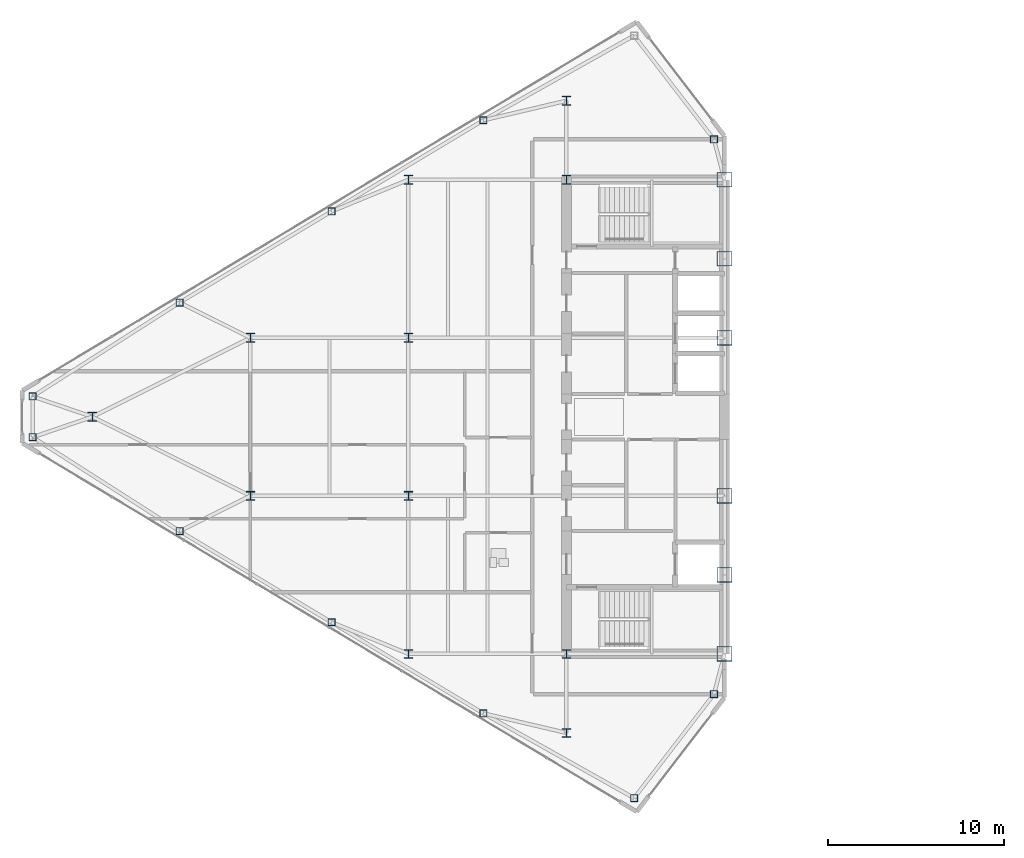
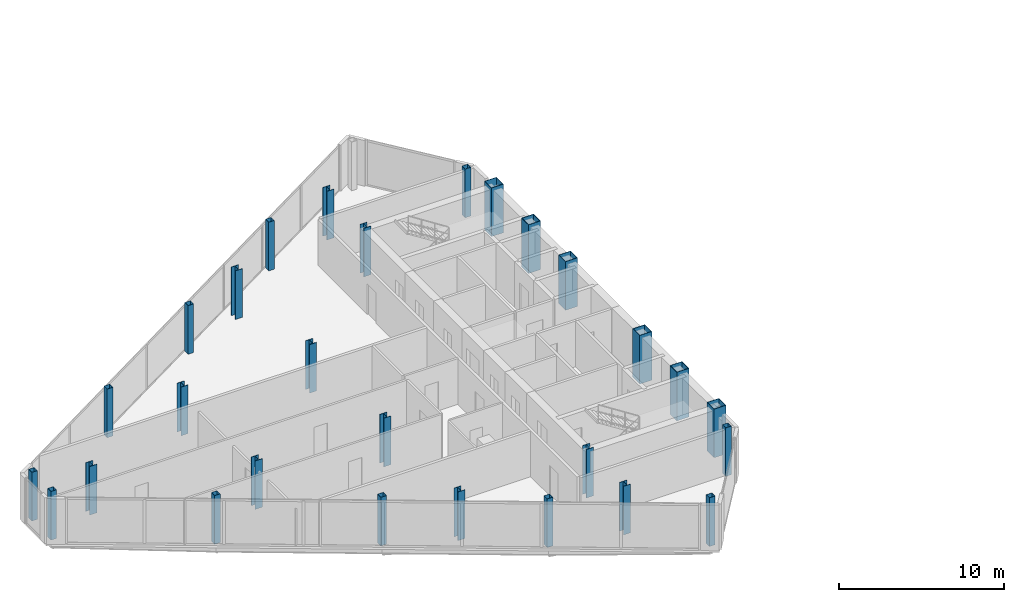
# One storey, part 1 of 25: 28 columns.
"""IFC4 building model written with IfcOpenShell, lengths in metres."""

from ifc_helpers import new_model, si_unit, direction, frame, origin, origin_2d, place, context, subcontext, project, spatial, hollow_rectangle, i_section, extrude, source, transform, mapped, material, material_profile, profile_set, type_object, type_shapes, element, save


model = new_model("IFC4")

# Units and contexts
model_context = context("Model", 3, precision=1e-05, world=origin(), true_north=direction((0.0, 1.0)))
body_context = subcontext(model_context, "Body", "Model", "MODEL_VIEW")
ifc_project = project(units=[si_unit("LENGTHUNIT", "METRE"), si_unit("AREAUNIT", "SQUARE_METRE"), si_unit("VOLUMEUNIT", "CUBIC_METRE"), si_unit("PLANEANGLEUNIT", "RADIAN"), si_unit("MASSUNIT", "GRAM", prefix="KILO")], contexts=[model_context])

# Site, building, storey
site_placement = place(None, origin())
site = spatial("IfcSite", under=ifc_project, at=site_placement, CompositionType="ELEMENT")
building_placement = place(site_placement, origin())
building = spatial("IfcBuilding", under=site, at=building_placement, Name="Seokmaru Belvedere", CompositionType="ELEMENT")
storey_placement = place(building_placement, frame((0.0, 0.0, 206.699951171875)))
storey = spatial("IfcBuildingStorey", under=building, at=storey_placement, Name="L55", CompositionType="ELEMENT", Elevation=206.699951171875)

# Columns
ifc_material_1 = material(Name="Steel HSA650 (650 MPa)", Category="steel")
ifc_material_profile_1 = material_profile(ifc_material_1, hollow_rectangle(XDim=0.85009765625, YDim=0.85009765625, WallThickness=0.035888671875, at=origin_2d()), Name="BOX-850x850x36")
ifc_profile_set_1 = profile_set([ifc_material_profile_1], Name="Steel HSA650 (650 MPa)")
column_type_1 = type_object("IfcColumnType", Name="Portal Spine Column BOX-850", PredefinedType="COLUMN", material=ifc_profile_set_1)
shared_shape_1 = source(origin(), body_context, "Body", "SweptSolid", [
    extrude(hollow_rectangle(XDim=0.85009765625, YDim=0.85009765625, WallThickness=0.035888671875, at=origin_2d()), origin(), (0.0, 0.0, 1.0), 3.60009765625),
])
type_shapes(column_type_1, [shared_shape_1])
for number, where, z_axis, x_axis, name in (
    (1, (-27.5, -13.5, 0.0), (0.0, 0.0, 1.0), (1.0, 0.0, 0.0), "L55 Column WS1"),
    (2, (-27.5, -9.0, 0.0), (0.0, 0.0, 1.0), (1.0, 0.0, 0.0), "L55 Column WS2"),
    (3, (-27.5, -4.5, 0.0), (0.0, 0.0, 1.0), (1.0, 0.0, 0.0), "L55 Column WS3"),
    (4, (-27.5, 4.5, 0.0), (0.0, 0.0, 1.0), (1.0, 0.0, 0.0), "L55 Column WS4"),
    (5, (-27.5, 9.0, 0.0), (0.0, 0.0, 1.0), (1.0, 0.0, 0.0), "L55 Column WS5"),
    (6, (-27.5, 13.5, 0.0), (0.0, 0.0, 1.0), (1.0, 0.0, 0.0), "L55 Column WS6"),
):
    element("IfcColumn", number, at=place(storey_placement, frame(where, z_axis=z_axis, x_axis=x_axis)), inside=storey, type_object=column_type_1, Name=name, PredefinedType="COLUMN", context=body_context, shape_type="MappedRepresentation", body=[
        mapped(shared_shape_1, transform((0.0, 0.0, 0.0), scale=1.0)),
    ])
ifc_material_2 = material(Name="Steel SM355 (355 MPa)", Category="steel")
ifc_material_profile_2 = material_profile(ifc_material_2, i_section(OverallWidth=0.5, OverallDepth=0.5, WebThickness=0.02001953125, FlangeThickness=0.031982421875, at=origin_2d()), Name="H-500x500x20x32")
ifc_profile_set_2 = profile_set([ifc_material_profile_2], Name="Steel SM355 (355 MPa)")
column_type_2 = type_object("IfcColumnType", Name="High-Rise Interior Column H-500", PredefinedType="COLUMN", material=ifc_profile_set_2)
shared_shape_2 = source(origin(), body_context, "Body", "SweptSolid", [
    extrude(i_section(OverallWidth=0.5, OverallDepth=0.5, WebThickness=0.02001953125, FlangeThickness=0.031982421875, at=origin_2d()), origin(), (0.0, 0.0, 1.0), 3.60009765625),
])
type_shapes(column_type_2, [shared_shape_2])
for number, where, z_axis, x_axis, name in (
    (7, (-36.5, -18.0, 0.0), (0.0, 0.0, 1.0), (1.0, 0.0, 0.0), "L55 Column WC1"),
    (8, (-36.5, -13.5, 0.0), (0.0, 0.0, 1.0), (1.0, 0.0, 0.0), "L55 Column WC2"),
    (9, (-36.5, 13.5, 0.0), (0.0, 0.0, 1.0), (1.0, 0.0, 0.0), "L55 Column WC3"),
    (10, (-36.5, 18.0, 0.0), (0.0, 0.0, 1.0), (1.0, 0.0, 0.0), "L55 Column WC4"),
    (11, (-45.5, -13.5, 0.0), (0.0, 0.0, 1.0), (1.0, 0.0, 0.0), "L55 Column WG5_1"),
    (12, (-45.5, -4.5, 0.0), (0.0, 0.0, 1.0), (1.0, 0.0, 0.0), "L55 Column WG5_2"),
    (13, (-45.5, 4.5, 0.0), (0.0, 0.0, 1.0), (1.0, 0.0, 0.0), "L55 Column WG5_3"),
    (14, (-45.5, 13.5, 0.0), (0.0, 0.0, 1.0), (1.0, 0.0, 0.0), "L55 Column WG5_4"),
    (15, (-54.5, -4.5, 0.0), (0.0, 0.0, 1.0), (1.0, 0.0, 0.0), "L55 Column WG4P_1"),
    (16, (-54.5, 4.5, 0.0), (0.0, 0.0, 1.0), (1.0, 0.0, 0.0), "L55 Column WG4P_2"),
    (17, (-63.5, 0.0, 0.0), (0.0, 0.0, 1.0), (1.0, 0.0, 0.0), "L55 Column WG3P_1"),
):
    element("IfcColumn", number, at=place(storey_placement, frame(where, z_axis=z_axis, x_axis=x_axis)), inside=storey, type_object=column_type_2, Name=name, PredefinedType="COLUMN", context=body_context, shape_type="MappedRepresentation", body=[
        mapped(shared_shape_2, transform((0.0, 0.0, 0.0), scale=1.0)),
    ])
ifc_material_profile_3 = material_profile(ifc_material_2, hollow_rectangle(XDim=0.39990234375, YDim=0.39990234375, WallThickness=0.01611328125, at=origin_2d()), Name="HSS-400x400x16")
ifc_profile_set_3 = profile_set([ifc_material_profile_3], Name="Steel SM355 (355 MPa)")
column_type_3 = type_object("IfcColumnType", Name="Perimeter Facet Column HSS-400", PredefinedType="COLUMN", material=ifc_profile_set_3)
shared_shape_3 = source(origin(), body_context, "Body", "SweptSolid", [
    extrude(hollow_rectangle(XDim=0.39990234375, YDim=0.39990234375, WallThickness=0.01611328125, at=origin_2d()), origin(), (0.0, 0.0, 1.0), 3.60009765625),
])
type_shapes(column_type_3, [shared_shape_3])
for number, where, z_axis, x_axis, name in (
    (18, (-28.10009765625, -15.7958984375, 0.0), (0.0, 0.0, 1.0), (1.0, 0.0, 0.0), "L55 Column WF1"),
    (19, (-28.10009765625, 15.7958984375, 0.0), (0.0, 0.0, 1.0), (1.0, 0.0, 0.0), "L55 Column WF2"),
    (20, (-66.89990234375, 1.160400390625, 0.0), (0.0, 0.0, 1.0), (1.0, 0.0, 0.0), "L55 Column WF4"),
    (21, (-66.89990234375, -1.160400390625, 0.0), (0.0, 0.0, 1.0), (1.0, 0.0, 0.0), "L55 Column WF5"),
    (22, (-32.649658203125, -21.71044921875, 0.0), (0.0, 0.0, 1.0), (1.0, 0.0, 0.0), "L55 Column WF6"),
    (23, (-41.229736328125, -16.888916015625, 0.0), (0.0, 0.0, 1.0), (1.0, 0.0, 0.0), "L55 Column WFLK_S1"),
    (24, (-49.8798828125, -11.698974609375, 0.0), (0.0, 0.0, 1.0), (1.0, 0.0, 0.0), "L55 Column WFLK_S2"),
    (25, (-58.530029296875, -6.5087890625, 0.0), (0.0, 0.0, 1.0), (1.0, 0.0, 0.0), "L55 Column WFLK_S3"),
    (26, (-41.229736328125, 16.888916015625, 0.0), (0.0, 0.0, 1.0), (1.0, 0.0, 0.0), "L55 Column WFLK_N1"),
    (27, (-49.8798828125, 11.698974609375, 0.0), (0.0, 0.0, 1.0), (1.0, 0.0, 0.0), "L55 Column WFLK_N2"),
    (28, (-58.530029296875, 6.5087890625, 0.0), (0.0, 0.0, 1.0), (1.0, 0.0, 0.0), "L55 Column WFLK_N3"),
):
    element("IfcColumn", number, at=place(storey_placement, frame(where, z_axis=z_axis, x_axis=x_axis)), inside=storey, type_object=column_type_3, Name=name, PredefinedType="COLUMN", context=body_context, shape_type="MappedRepresentation", body=[
        mapped(shared_shape_3, transform((0.0, 0.0, 0.0), scale=1.0)),
    ])

save(model, "model.ifc")
